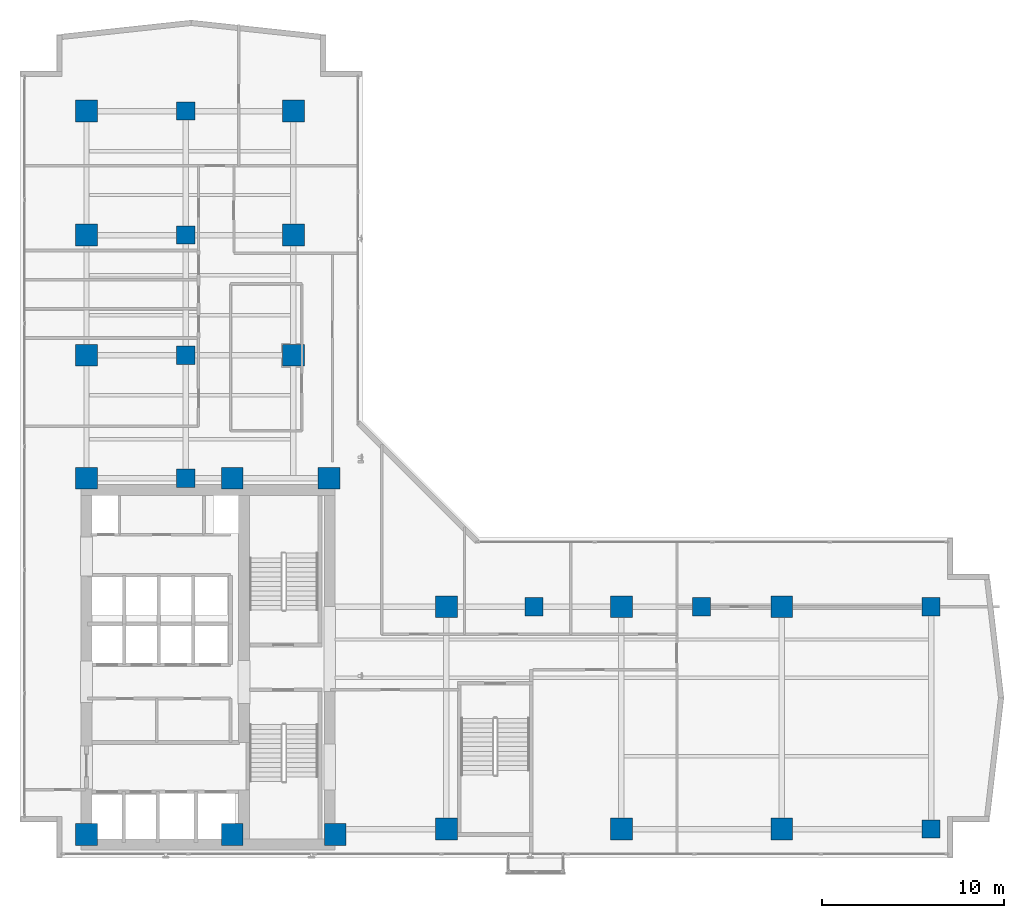
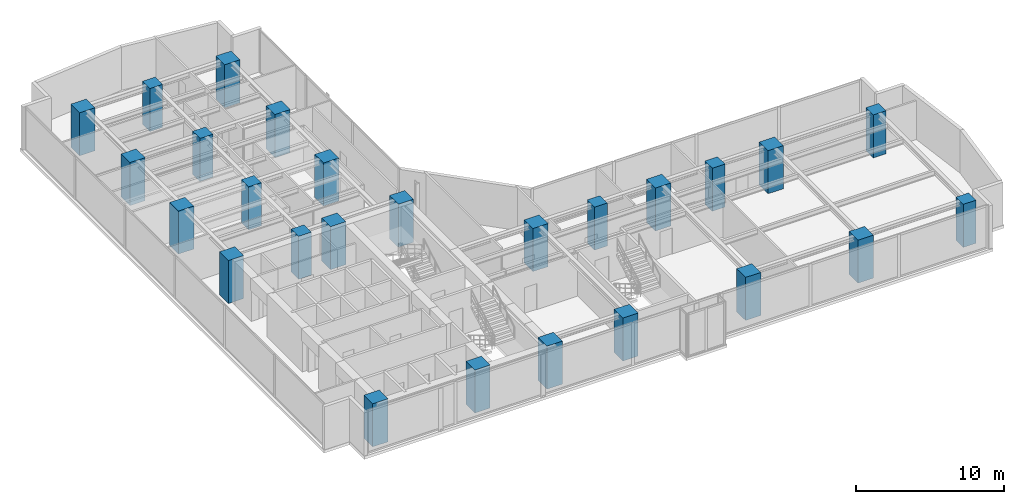
# One storey, part 1 of 24: 26 columns.
"""IFC4 building model written with IfcOpenShell, lengths in metres."""

from ifc_helpers import new_model, si_unit, direction, frame, origin, origin_2d, place, context, subcontext, project, spatial, rectangle, extrude, material, material_profile, profile_set, type_object, element, save


model = new_model("IFC4")

# Units and contexts
model_context = context("Model", 3, precision=1e-05, world=origin(), true_north=direction((0.0, 1.0)))
body_context = subcontext(model_context, "Body", "Model", "MODEL_VIEW")
ifc_project = project(units=[si_unit("LENGTHUNIT", "METRE"), si_unit("AREAUNIT", "SQUARE_METRE"), si_unit("VOLUMEUNIT", "CUBIC_METRE"), si_unit("PLANEANGLEUNIT", "RADIAN"), si_unit("MASSUNIT", "GRAM", prefix="KILO")], contexts=[model_context])

# Site, building, storey
site_placement = place(None, origin())
site = spatial("IfcSite", under=ifc_project, at=site_placement, CompositionType="ELEMENT")
building_placement = place(site_placement, origin())
building = spatial("IfcBuilding", under=site, at=building_placement, Name="Kolvaren Waterfront Exchange", CompositionType="ELEMENT")
storey_placement = place(building_placement, frame((0.0, 0.0, 157.60009765625)))
storey = spatial("IfcBuildingStorey", under=building, at=storey_placement, Name="L40", CompositionType="ELEMENT", Elevation=157.60009765625)

# Columns
ifc_material = material(Name="Concrete C60/75", Category="concrete")
ifc_material_profile_1 = material_profile(ifc_material, rectangle(XDim=1.0, YDim=1.0, at=origin_2d()), Name="RC-COL-1000x1000")
ifc_profile_set_1 = profile_set([ifc_material_profile_1], Name="Concrete C60/75")
column_type_1 = type_object("IfcColumnType", Name="STR-COL-1000-C60", PredefinedType="COLUMN", material=ifc_profile_set_1)
for number, where, z_axis, x_axis, name in (
    (1, (53.800048828125, 5.199951171875, 0.0), (0.0, 0.0, 1.0), (1.0, 0.0, 0.0), "L40 column ZC01"),
    (2, (53.800048828125, 17.39990234375, 0.0), (0.0, 0.0, 1.0), (1.0, 0.0, 0.0), "L40 column ZC02"),
    (3, (12.89990234375, 24.449951171875, 0.0), (0.0, 0.0, 1.0), (1.0, 0.0, 0.0), "L40 column TC01"),
    (4, (12.89990234375, 31.199951171875, 0.0), (0.0, 0.0, 1.0), (1.0, 0.0, 0.0), "L40 column TC02"),
    (5, (12.89990234375, 37.800048828125, 0.0), (0.0, 0.0, 1.0), (1.0, 0.0, 0.0), "L40 column TC03"),
    (6, (12.89990234375, 44.60009765625, 0.0), (0.0, 0.0, 1.0), (1.0, 0.0, 0.0), "L40 column TC04"),
    (7, (32.0, 17.39990234375, 0.0), (0.0, 0.0, 1.0), (1.0, 0.0, 0.0), "L40 column TC05"),
    (8, (41.199951171875, 17.39990234375, 0.0), (0.0, 0.0, 1.0), (1.0, 0.0, 0.0), "L40 column TC06"),
):
    element("IfcColumn", number, at=place(storey_placement, frame(where, z_axis=z_axis, x_axis=x_axis)), inside=storey, type_object=column_type_1, Name=name, PredefinedType="COLUMN", context=body_context, shape_type="SweptSolid", body=[
        extrude(rectangle(XDim=1.0, YDim=1.0, at=origin_2d()), origin(), (0.0, 0.0, 1.0), 3.559814453125),
    ])
ifc_material_profile_2 = material_profile(ifc_material, rectangle(XDim=1.199951171875, YDim=1.199951171875, at=origin_2d()), Name="RC-COL-1200x1200")
ifc_profile_set_2 = profile_set([ifc_material_profile_2], Name="Concrete C60/75")
column_type_2 = type_object("IfcColumnType", Name="STR-COL-1200-C60", PredefinedType="COLUMN", material=ifc_profile_set_2)
for number, where, z_axis, x_axis, name in (
    (9, (7.449951171875, 4.89990234375, 0.0), (0.0, 0.0, 1.0), (1.0, 0.0, 0.0), "L40 column MC01"),
    (10, (15.449951171875, 4.89990234375, 0.0), (0.0, 0.0, 1.0), (1.0, 0.0, 0.0), "L40 column MC02"),
    (11, (21.10009765625, 4.89990234375, 0.0), (0.0, 0.0, 1.0), (1.0, 0.0, 0.0), "L40 column MC03"),
    (12, (7.449951171875, 24.449951171875, 0.0), (0.0, 0.0, 1.0), (1.0, 0.0, 0.0), "L40 column MC04"),
    (13, (15.449951171875, 24.449951171875, 0.0), (0.0, 0.0, 1.0), (1.0, 0.0, 0.0), "L40 column MC05"),
    (14, (20.75, 24.449951171875, 0.0), (0.0, 0.0, 1.0), (1.0, 0.0, 0.0), "L40 column MC06"),
    (15, (7.449951171875, 31.199951171875, 0.0), (0.0, 0.0, 1.0), (1.0, 0.0, 0.0), "L40 column NC01"),
    (16, (7.449951171875, 37.800048828125, 0.0), (0.0, 0.0, 1.0), (1.0, 0.0, 0.0), "L40 column NC02"),
    (17, (7.449951171875, 44.60009765625, 0.0), (0.0, 0.0, 1.0), (1.0, 0.0, 0.0), "L40 column NC03"),
    (18, (18.800048828125, 31.199951171875, 0.0), (0.0, 0.0, 1.0), (1.0, 0.0, 0.0), "L40 column NC04"),
    (19, (18.800048828125, 37.800048828125, 0.0), (0.0, 0.0, 1.0), (1.0, 0.0, 0.0), "L40 column NC05"),
    (20, (18.800048828125, 44.60009765625, 0.0), (0.0, 0.0, 1.0), (1.0, 0.0, 0.0), "L40 column NC06"),
    (21, (27.199951171875, 5.199951171875, 0.0), (0.0, 0.0, 1.0), (1.0, 0.0, 0.0), "L40 column EC01"),
    (22, (36.800048828125, 5.199951171875, 0.0), (0.0, 0.0, 1.0), (1.0, 0.0, 0.0), "L40 column EC02"),
    (23, (45.60009765625, 5.199951171875, 0.0), (0.0, 0.0, 1.0), (1.0, 0.0, 0.0), "L40 column EC03"),
    (24, (27.199951171875, 17.39990234375, 0.0), (0.0, 0.0, 1.0), (1.0, 0.0, 0.0), "L40 column EC04"),
    (25, (36.800048828125, 17.39990234375, 0.0), (0.0, 0.0, 1.0), (1.0, 0.0, 0.0), "L40 column EC05"),
    (26, (45.60009765625, 17.39990234375, 0.0), (0.0, 0.0, 1.0), (1.0, 0.0, 0.0), "L40 column EC06"),
):
    element("IfcColumn", number, at=place(storey_placement, frame(where, z_axis=z_axis, x_axis=x_axis)), inside=storey, type_object=column_type_2, Name=name, PredefinedType="COLUMN", context=body_context, shape_type="SweptSolid", body=[
        extrude(rectangle(XDim=1.199951171875, YDim=1.199951171875, at=origin_2d()), origin(), (0.0, 0.0, 1.0), 3.559814453125),
    ])

save(model, "model.ifc")
